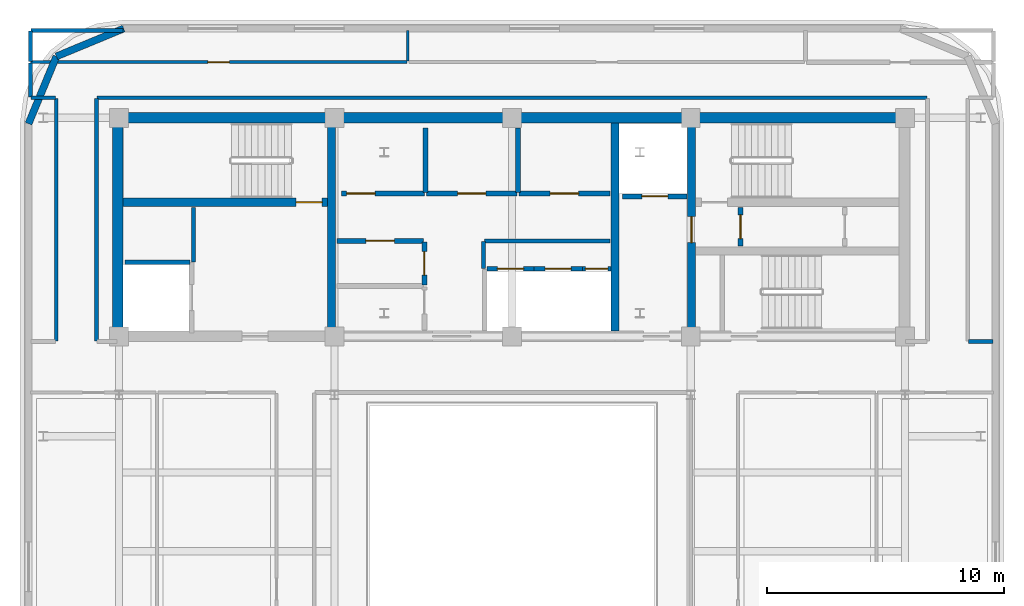
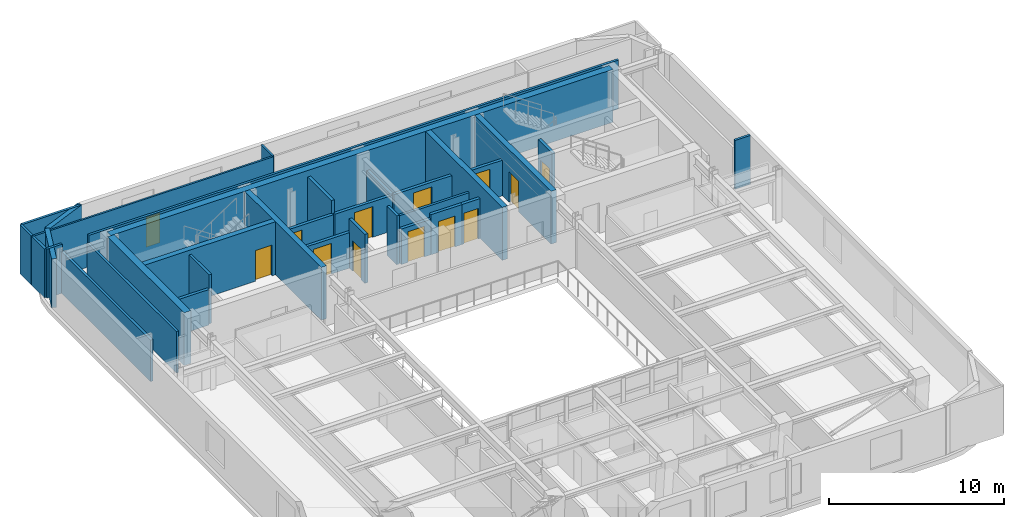
# One storey, part 8 of 12: 34 walls, 13 doors, 13 openings.
"""IFC4 building model written with IfcOpenShell, lengths in metres."""

from ifc_helpers import new_model, si_unit, direction, frame, frame_2d, origin, place, context, subcontext, project, spatial, rectangle, extrude, material, layer, layer_set, type_object, element, fill, save


model = new_model("IFC4")

# Units and contexts
model_context = context("Model", 3, precision=1e-05, world=origin(), true_north=direction((0.0, 1.0)))
body_context = subcontext(model_context, "Body", "Model", "MODEL_VIEW")
ifc_project = project(units=[si_unit("LENGTHUNIT", "METRE"), si_unit("AREAUNIT", "SQUARE_METRE"), si_unit("VOLUMEUNIT", "CUBIC_METRE"), si_unit("PLANEANGLEUNIT", "RADIAN"), si_unit("MASSUNIT", "GRAM", prefix="KILO")], contexts=[model_context])

# Site, building, storey
site_placement = place(None, origin())
site = spatial("IfcSite", under=ifc_project, at=site_placement, CompositionType="ELEMENT")
building_placement = place(site_placement, origin())
building = spatial("IfcBuilding", under=site, at=building_placement, Name="Zarnavel Station Tower", CompositionType="ELEMENT")
storey_placement = place(building_placement, frame((0.0, 0.0, 265.800048828125)))
storey = spatial("IfcBuildingStorey", under=building, at=storey_placement, Name="L72", CompositionType="ELEMENT", Elevation=265.800048828125)

# Walls
ifc_material_1 = material(Name="Concrete C50/60", Category="concrete")
ifc_layer_1 = layer(ifc_material_1, 0.35009765625)
ifc_layer_set_1 = layer_set([ifc_layer_1], Name="CW_350")
wall_type_1 = type_object("IfcWallType", Name="CW_350", PredefinedType="SHEAR", material=ifc_layer_set_1)
for number, where, z_axis, x_axis, name in (
    (1, (21.179931640625, 28.044921875, 0.0), (0.0, 0.0, 1.0), (0.0, 1.0, 0.0), "L72 Rear Core Shear Wall DIV-W"),
    (2, (33.14990234375, 28.044921875, 0.0), (0.0, 0.0, 1.0), (0.0, 1.0, 0.0), "L72 Rear Core Shear Wall DIV-E"),
):
    element("IfcWall", number, at=place(storey_placement, frame(where, z_axis=z_axis, x_axis=x_axis)), inside=storey, type_object=wall_type_1, Name=name, PredefinedType="SHEAR", context=body_context, shape_type="SweptSolid", body=[
        extrude(rectangle(XDim=8.780029296875, YDim=0.35009765625, at=frame_2d((4.39013671875, 0.0))), origin(), (0.0, 0.0, 1.0), 3.699951171875),
    ])

# Wall, opening, door
wall_1_placement = place(storey_placement, frame((36.3798828125, 28.044921875, 0.0), z_axis=(0.0, 0.0, 1.0), x_axis=(0.0, 1.0, 0.0)))
wall_1 = element("IfcWall", 3, at=wall_1_placement, inside=storey, type_object=wall_type_1, Name="L72 Rear Core Shear Wall DIV-S2", PredefinedType="SHEAR", context=body_context, shape_type="SweptSolid", body=[
    extrude(rectangle(XDim=8.780029296875, YDim=0.35009765625, at=frame_2d((4.39013671875, 0.0))), origin(), (0.0, 0.0, 1.0), 3.699951171875),
])
opening_1_placement = place(wall_1_placement, frame((3.735107421875, 0.0, 0.0)))
opening_1 = element("IfcOpeningElement", 4, at=opening_1_placement, cuts=wall_1, Name="Opening FD01", PredefinedType="OPENING", context=body_context, shape_type="SweptSolid", body=[
    extrude(rectangle(XDim=1.10009765625, YDim=2.14990234375, at=frame_2d((0.550048828125, 1.074951171875))), frame((0.0, 0.18505859375, 0.0), z_axis=(0.0, -1.0, 0.0), x_axis=(1.0, 0.0, 0.0)), (0.0, 0.0, 1.0), 0.3701171875),
])
ifc_material_2 = material(Name="Painted Galvanised Steel and Hardwood Leaf", Category="steel")
door_type_1 = type_object("IfcDoorType", Name="ID_STAIR_1100", OperationType="NOTDEFINED", PredefinedType="DOOR", material=ifc_material_2)
door_1_placement = place(opening_1_placement, origin())
door_1 = element("IfcDoor", 5, at=door_1_placement, inside=storey, type_object=door_type_1, Name="L72 East Stair Vestibule Fire Door", OperationType="SINGLE_SWING_LEFT", OverallHeight=2.14990234375, OverallWidth=1.10009765625, PredefinedType="DOOR", context=body_context, shape_type="SweptSolid", body=[
    extrude(rectangle(XDim=1.10009765625, YDim=2.14990234375, at=frame_2d((0.550048828125, 1.074951171875))), frame((0.0, 0.02490234375, 0.0), z_axis=(0.0, -1.0, 0.0), x_axis=(1.0, 0.0, 0.0)), (0.0, 0.0, 1.0), 0.050048828125),
])
fill(opening_1, door_1)

wall_2_placement = place(storey_placement, frame((21.0048828125, 33.47998046875, 0.0), z_axis=(0.0, 0.0, 1.0), x_axis=(-1.0, 0.0, 0.0)))
wall_2 = element("IfcWall", 6, at=wall_2_placement, inside=storey, type_object=wall_type_1, Name="L72 Rear Core Shear Wall DIV-H1", PredefinedType="SHEAR", context=body_context, shape_type="SweptSolid", body=[
    extrude(rectangle(XDim=8.6298828125, YDim=0.35009765625, at=frame_2d((4.31494140625, 0.0))), origin(), (0.0, 0.0, 1.0), 3.699951171875),
])
opening_2_placement = place(wall_2_placement, frame((0.219970703125, 0.0, 0.0)))
opening_2 = element("IfcOpeningElement", 7, at=opening_2_placement, cuts=wall_2, Name="Opening FD01", PredefinedType="OPENING", context=body_context, shape_type="SweptSolid", body=[
    extrude(rectangle(XDim=1.10009765625, YDim=2.14990234375, at=frame_2d((0.550048828125, 1.074951171875))), frame((0.0, 0.18505859375, 0.0), z_axis=(0.0, -1.0, 0.0), x_axis=(1.0, 0.0, 0.0)), (0.0, 0.0, 1.0), 0.3701171875),
])
door_2_placement = place(opening_2_placement, origin())
door_2 = element("IfcDoor", 8, at=door_2_placement, inside=storey, type_object=door_type_1, Name="L72 Stair ST1 Lobby Fire Door", OperationType="SINGLE_SWING_LEFT", OverallHeight=2.14990234375, OverallWidth=1.10009765625, PredefinedType="DOOR", context=body_context, shape_type="SweptSolid", body=[
    extrude(rectangle(XDim=1.10009765625, YDim=2.14990234375, at=frame_2d((0.550048828125, 1.074951171875))), frame((0.0, 0.02490234375, 0.0), z_axis=(0.0, -1.0, 0.0), x_axis=(1.0, 0.0, 0.0)), (0.0, 0.0, 1.0), 0.050048828125),
])
fill(opening_2, door_2)

# Walls
ifc_material_3 = material(Name="Concrete C50/60", Category="concrete")
ifc_layer_2 = layer(ifc_material_3, 0.449951171875)
ifc_layer_set_2 = layer_set([ifc_layer_2], Name="CW_450")
wall_type_2 = type_object("IfcWallType", Name="CW_450", PredefinedType="SHEAR", material=ifc_layer_set_2)
wall_3_placement = place(storey_placement, frame((12.14990234375, 37.050048828125, 0.0), z_axis=(0.0, 0.0, 1.0), x_axis=(1.0, 0.0, 0.0)))
element("IfcWall", 9, at=wall_3_placement, inside=storey, type_object=wall_type_2, Name="L72 Rear Core Shear Wall N", PredefinedType="SHEAR", context=body_context, shape_type="SweptSolid", body=[
    extrude(rectangle(XDim=33.22998046875, YDim=0.449951171875, at=frame_2d((16.614990234375, 0.0))), origin(), (0.0, 0.0, 1.0), 3.699951171875),
])
wall_4_placement = place(storey_placement, frame((12.14990234375, 28.044921875, 0.0), z_axis=(0.0, 0.0, 1.0), x_axis=(0.0, 1.0, 0.0)))
element("IfcWall", 10, at=wall_4_placement, inside=storey, type_object=wall_type_2, Name="L72 Rear Core Shear Wall W", PredefinedType="SHEAR", context=body_context, shape_type="SweptSolid", body=[
    extrude(rectangle(XDim=8.780029296875, YDim=0.449951171875, at=frame_2d((4.39013671875, 0.0))), origin(), (0.0, 0.0, 1.0), 3.699951171875),
])
ifc_material_4 = material(Name="Precast concrete C45/55 (Dark Basalt Finish)", Category="masonry")
ifc_layer_3 = layer(ifc_material_4, 0.300048828125)
ifc_layer_set_3 = layer_set([ifc_layer_3], Name="EW_BASALT_300")
wall_type_3 = type_object("IfcWallType", Name="EW_BASALT_300", PredefinedType="SOLIDWALL", material=ifc_layer_set_3)
for number, where, z_axis, x_axis, name in (
    (11, (9.557373046875, 39.642578125, 0.0), (0.0, 0.0, 1.0), (0.923870793506, 0.382704529509, 0.0), "L72 Exterior Basalt Masonry Frame Wall 07"),
    (12, (8.3798828125, 36.800048828125, 0.0), (0.0, 0.0, 1.0), (0.382704529509, 0.923870793506, 0.0), "L72 Exterior Basalt Masonry Frame Wall 08"),
):
    element("IfcWall", number, at=place(storey_placement, frame(where, z_axis=z_axis, x_axis=x_axis)), inside=storey, type_object=wall_type_3, Name=name, PredefinedType="SOLIDWALL", context=body_context, shape_type="SweptSolid", body=[
        extrude(rectangle(XDim=3.07666015625, YDim=0.300048828125, at=frame_2d((1.538330078125, 0.0))), origin(), (0.0, 0.0, 1.0), 3.419921875),
    ])
ifc_material_5 = material(Name="Gypsum Twin-Stud Acoustic Fire Partition", Category="concrete")
ifc_layer_4 = layer(ifc_material_5, 0.159912109375)
ifc_layer_set_4 = layer_set([ifc_layer_4], Name="PT_DEMISE_160")
wall_type_4 = type_object("IfcWallType", Name="PT_DEMISE_160", PredefinedType="PARTITIONING", material=ifc_layer_set_4)
wall_5_placement = place(storey_placement, frame((15.35009765625, 30.9599609375, 0.0), z_axis=(0.0, 0.0, 1.0), x_axis=(0.0, 1.0, 0.0)))
element("IfcWall", 13, at=wall_5_placement, inside=storey, type_object=wall_type_4, Name="L72 Enclosure Wall FFL1", PredefinedType="PARTITIONING", context=body_context, shape_type="SweptSolid", body=[
    extrude(rectangle(XDim=2.31005859375, YDim=0.159912109375, at=frame_2d((1.155029296875, 0.0))), origin(), (0.0, 0.0, 1.0), 3.419921875),
])
wall_6_placement = place(storey_placement, frame((27.6298828125, 31.85009765625, 0.0), z_axis=(0.0, 0.0, 1.0), x_axis=(1.0, 0.0, 0.0)))
element("IfcWall", 14, at=wall_6_placement, inside=storey, type_object=wall_type_4, Name="L72 Enclosure Wall LLOB", PredefinedType="PARTITIONING", context=body_context, shape_type="SweptSolid", body=[
    extrude(rectangle(XDim=5.31005859375, YDim=0.159912109375, at=frame_2d((2.655029296875, 0.0))), origin(), (0.0, 0.0, 1.0), 2.489990234375),
])
wall_7_placement = place(storey_placement, frame((27.60009765625, 30.679931640625, 0.0), z_axis=(0.0, 0.0, 1.0), x_axis=(0.0, 1.0, 0.0)))
element("IfcWall", 15, at=wall_7_placement, inside=storey, type_object=wall_type_4, Name="L72 Enclosure Wall LLOBS", PredefinedType="PARTITIONING", context=body_context, shape_type="SweptSolid", body=[
    extrude(rectangle(XDim=1.14013671875, YDim=0.159912109375, at=frame_2d((0.570068359375, 0.0))), origin(), (0.0, 0.0, 1.0), 3.419921875),
])
wall_8_placement = place(storey_placement, frame((48.080078125, 27.60009765625, 0.0), z_axis=(0.0, 0.0, 1.0), x_axis=(1.0, 0.0, 0.0)))
element("IfcWall", 16, at=wall_8_placement, inside=storey, type_object=wall_type_4, Name="L72 Enclosure Wall COR-S", PredefinedType="PARTITIONING", context=body_context, shape_type="SweptSolid", body=[
    extrude(rectangle(XDim=1.030029296875, YDim=0.159912109375, at=frame_2d((0.51513671875, 0.0))), origin(), (0.0, 0.0, 1.0), 3.419921875),
])
for number, where, z_axis, x_axis, name in (
    (17, (9.550048828125, 27.6298828125, 0.0), (0.0, 0.0, 1.0), (0.0, 1.0, 0.0), "L72 Enclosure Wall COR-W"),
    (18, (11.25, 27.6298828125, 0.0), (0.0, 0.0, 1.0), (0.0, 1.0, 0.0), "L72 Enclosure Wall COR-W"),
):
    element("IfcWall", number, at=place(storey_placement, frame(where, z_axis=z_axis, x_axis=x_axis)), inside=storey, type_object=wall_type_4, Name=name, PredefinedType="PARTITIONING", context=body_context, shape_type="SweptSolid", body=[
        extrude(rectangle(XDim=10.240234375, YDim=0.159912109375, at=frame_2d((5.1201171875, 0.0))), origin(), (0.0, 0.0, 1.0), 2.89990234375),
    ])
wall_9_placement = place(storey_placement, frame((8.489990234375, 37.89990234375, 0.0), z_axis=(0.0, 0.0, 1.0), x_axis=(1.0, 0.0, 0.0)))
element("IfcWall", 19, at=wall_9_placement, inside=storey, type_object=wall_type_4, Name="L72 Enclosure Wall COR-N", PredefinedType="PARTITIONING", context=body_context, shape_type="SweptSolid", body=[
    extrude(rectangle(XDim=1.030029296875, YDim=0.159912109375, at=frame_2d((0.51513671875, 0.0))), origin(), (0.0, 0.0, 1.0), 3.419921875),
])
wall_10_placement = place(storey_placement, frame((11.280029296875, 37.89990234375, 0.0), z_axis=(0.0, 0.0, 1.0), x_axis=(1.0, 0.0, 0.0)))
element("IfcWall", 20, at=wall_10_placement, inside=storey, type_object=wall_type_4, Name="L72 Enclosure Wall COR-N", PredefinedType="PARTITIONING", context=body_context, shape_type="SweptSolid", body=[
    extrude(rectangle(XDim=35.0400390625, YDim=0.159912109375, at=frame_2d((17.52001953125, 0.0))), origin(), (0.0, 0.0, 1.0), 3.419921875),
])
wall_11_placement = place(storey_placement, frame((8.4599609375, 37.929931640625, 0.0), z_axis=(0.0, 0.0, 1.0), x_axis=(0.0, 1.0, 0.0)))
element("IfcWall", 21, at=wall_11_placement, inside=storey, type_object=wall_type_4, Name="L72 Enclosure Wall COR-N", PredefinedType="PARTITIONING", context=body_context, shape_type="SweptSolid", body=[
    extrude(rectangle(XDim=1.440185546875, YDim=0.159912109375, at=frame_2d((0.72021484375, 0.0))), origin(), (0.0, 0.0, 1.0), 3.419921875),
])
wall_12_placement = place(storey_placement, frame((8.489990234375, 40.739990234375, 0.0), z_axis=(0.0, 0.0, 1.0), x_axis=(1.0, 0.0, 0.0)))
element("IfcWall", 22, at=wall_12_placement, inside=storey, type_object=wall_type_4, Name="L72 Enclosure Wall NLIB", PredefinedType="PARTITIONING", context=body_context, shape_type="SweptSolid", body=[
    extrude(rectangle(XDim=3.880126953125, YDim=0.159912109375, at=frame_2d((1.93994140625, 0.0))), origin(), (0.0, 0.0, 1.0), 3.419921875),
])
wall_13_placement = place(storey_placement, frame((8.4599609375, 39.429931640625, 0.0), z_axis=(0.0, 0.0, 1.0), x_axis=(0.0, 1.0, 0.0)))
element("IfcWall", 23, at=wall_13_placement, inside=storey, type_object=wall_type_4, Name="L72 Enclosure Wall NLIB", PredefinedType="PARTITIONING", context=body_context, shape_type="SweptSolid", body=[
    extrude(rectangle(XDim=1.280029296875, YDim=0.159912109375, at=frame_2d((0.64013671875, 0.0))), origin(), (0.0, 0.0, 1.0), 3.419921875),
])

# Wall, opening, door
ifc_material_6 = material(Name="Gypsum Metal-Stud Interior Partition", Category="concrete")
ifc_layer_5 = layer(ifc_material_6, 0.1201171875)
ifc_layer_set_5 = layer_set([ifc_layer_5], Name="PT_ROOM_120")
wall_type_5 = type_object("IfcWallType", Name="PT_ROOM_120", PredefinedType="PARTITIONING", material=ifc_layer_set_5)
wall_14_placement = place(storey_placement, frame((8.4599609375, 39.39990234375, 0.0), z_axis=(0.0, 0.0, 1.0), x_axis=(1.0, 0.0, 0.0)))
wall_14 = element("IfcWall", 24, at=wall_14_placement, inside=storey, type_object=wall_type_5, Name="L72 Partition COR-N-NLIB", PredefinedType="PARTITIONING", context=body_context, shape_type="SweptSolid", body=[
    extrude(rectangle(XDim=15.900146484375, YDim=0.1201171875, at=frame_2d((7.9501953125, 0.0))), origin(), (0.0, 0.0, 1.0), 3.419921875),
])
opening_3_placement = place(wall_14_placement, frame((7.5, 0.0, 0.0)))
opening_3 = element("IfcOpeningElement", 25, at=opening_3_placement, cuts=wall_14, Name="Opening ID01", PredefinedType="OPENING", context=body_context, shape_type="SweptSolid", body=[
    extrude(rectangle(XDim=0.89990234375, YDim=2.10009765625, at=frame_2d((0.449951171875, 1.050048828125))), frame((0.0, 0.070068359375, 0.0), z_axis=(0.0, -1.0, 0.0), x_axis=(1.0, 0.0, 0.0)), (0.0, 0.0, 1.0), 0.14013671875),
])
ifc_material_7 = material(Name="Painted Galvanised Steel and Hardwood Leaf", Category="steel")
door_type_2 = type_object("IfcDoorType", Name="ID_ROOM_900", OperationType="NOTDEFINED", PredefinedType="DOOR", material=ifc_material_7)
door_3_placement = place(opening_3_placement, origin())
door_3 = element("IfcDoor", 26, at=door_3_placement, inside=storey, type_object=door_type_2, Name="L72 Door COR-N-NLIB", OperationType="SINGLE_SWING_LEFT", OverallHeight=2.10009765625, OverallWidth=0.89990234375, PredefinedType="DOOR", context=body_context, shape_type="SweptSolid", body=[
    extrude(rectangle(XDim=0.89990234375, YDim=2.10009765625, at=frame_2d((0.449951171875, 1.050048828125))), frame((0.0, 0.02490234375, 0.0), z_axis=(0.0, -1.0, 0.0), x_axis=(1.0, 0.0, 0.0)), (0.0, 0.0, 1.0), 0.050048828125),
])
fill(opening_3, door_3)

# Walls
wall_15_placement = place(storey_placement, frame((24.39990234375, 39.43994140625, 0.0), z_axis=(0.0, 0.0, 1.0), x_axis=(0.0, 1.0, 0.0)))
element("IfcWall", 27, at=wall_15_placement, inside=storey, type_object=wall_type_5, Name="L72 Partition NLIB-NSPA", PredefinedType="PARTITIONING", context=body_context, shape_type="SweptSolid", body=[
    extrude(rectangle(XDim=1.300048828125, YDim=0.1201171875, at=frame_2d((0.64990234375, 0.0))), origin(), (0.0, 0.0, 1.0), 3.419921875),
])
ifc_material_8 = material(Name="Precast concrete C45/55 (Fire Shaft Blockwork)", Category="masonry")
ifc_layer_6 = layer(ifc_material_8, 0.199951171875)
ifc_layer_set_6 = layer_set([ifc_layer_6], Name="PT_SHAFT_200")
wall_type_6 = type_object("IfcWallType", Name="PT_SHAFT_200", PredefinedType="PARTITIONING", material=ifc_layer_set_6)
wall_16_placement = place(storey_placement, frame((12.449951171875, 30.949951171875, 0.0), z_axis=(0.0, 0.0, 1.0), x_axis=(1.0, 0.0, 0.0)))
element("IfcWall", 28, at=wall_16_placement, inside=storey, type_object=wall_type_6, Name="L72 Lift FFL-01 North Shaft Wall", PredefinedType="PARTITIONING", context=body_context, shape_type="SweptSolid", body=[
    extrude(rectangle(XDim=2.75, YDim=0.199951171875, at=frame_2d((1.375, 0.0))), origin(), (0.0, 0.0, 1.0), 2.489990234375),
])

# Wall, opening, door
wall_17_placement = place(storey_placement, frame((33.47509765625, 33.72998046875, 0.0), z_axis=(0.0, 0.0, 1.0), x_axis=(1.0, 0.0, 0.0)))
wall_17 = element("IfcWall", 29, at=wall_17_placement, inside=storey, type_object=wall_type_6, Name="L72 Lift FFL-02 Shaft Front Wall", PredefinedType="PARTITIONING", context=body_context, shape_type="SweptSolid", body=[
    extrude(rectangle(XDim=2.724853515625, YDim=0.199951171875, at=frame_2d((1.3623046875, 0.0))), origin(), (0.0, 0.0, 1.0), 2.489990234375),
])
opening_4_placement = place(wall_17_placement, frame((0.8125, 0.0, 0.0)))
opening_4 = element("IfcOpeningElement", 30, at=opening_4_placement, cuts=wall_17, Name="Opening LD01", PredefinedType="OPENING", context=body_context, shape_type="SweptSolid", body=[
    extrude(rectangle(XDim=1.10009765625, YDim=2.14990234375, at=frame_2d((0.550048828125, 1.074951171875))), frame((0.0, 0.10986328125, 0.0), z_axis=(0.0, -1.0, 0.0), x_axis=(1.0, 0.0, 0.0)), (0.0, 0.0, 1.0), 0.219970703125),
])
ifc_material_9 = material(Name="Painted Galvanised Steel and Hardwood Leaf", Category="steel")
door_type_3 = type_object("IfcDoorType", Name="LD_FF_1100", OperationType="DOUBLE_DOOR_SLIDING", PredefinedType="DOOR", material=ifc_material_9)
door_4_placement = place(opening_4_placement, origin())
door_4 = element("IfcDoor", 31, at=door_4_placement, inside=storey, type_object=door_type_3, Name="L72 Lift FFL-02 Sliding Landing Door", OperationType="DOUBLE_DOOR_SLIDING", OverallHeight=2.14990234375, OverallWidth=1.10009765625, PredefinedType="DOOR", context=body_context, shape_type="SweptSolid", body=[
    extrude(rectangle(XDim=1.10009765625, YDim=2.14990234375, at=frame_2d((0.550048828125, 1.074951171875))), frame((0.0, 0.02490234375, 0.0), z_axis=(0.0, -1.0, 0.0), x_axis=(1.0, 0.0, 0.0)), (0.0, 0.0, 1.0), 0.050048828125),
])
fill(opening_4, door_4)

wall_18_placement = place(storey_placement, frame((27.75, 30.669921875, 0.0), z_axis=(0.0, 0.0, 1.0), x_axis=(1.0, 0.0, 0.0)))
wall_18 = element("IfcWall", 32, at=wall_18_placement, inside=storey, type_object=wall_type_6, Name="L72 Lift PL-H1 Shaft Front Wall", PredefinedType="PARTITIONING", context=body_context, shape_type="SweptSolid", body=[
    extrude(rectangle(XDim=1.97509765625, YDim=0.199951171875, at=frame_2d((0.987548828125, 0.0))), origin(), (0.0, 0.0, 1.0), 2.489990234375),
])
opening_5_placement = place(wall_18_placement, frame((0.4375, 0.0, 0.0)))
opening_5 = element("IfcOpeningElement", 33, at=opening_5_placement, cuts=wall_18, Name="Opening LD02", PredefinedType="OPENING", context=body_context, shape_type="SweptSolid", body=[
    extrude(rectangle(XDim=1.10009765625, YDim=2.14990234375, at=frame_2d((0.550048828125, 1.074951171875))), frame((0.0, 0.10986328125, 0.0), z_axis=(0.0, -1.0, 0.0), x_axis=(1.0, 0.0, 0.0)), (0.0, 0.0, 1.0), 0.219970703125),
])
ifc_material_10 = material(Name="Painted Galvanised Steel and Hardwood Leaf", Category="steel")
door_type_4 = type_object("IfcDoorType", Name="LD_PAX_1100", OperationType="DOUBLE_DOOR_SLIDING", PredefinedType="DOOR", material=ifc_material_10)
door_5_placement = place(opening_5_placement, origin())
door_5 = element("IfcDoor", 34, at=door_5_placement, inside=storey, type_object=door_type_4, Name="L72 Lift PL-H1 Sliding Landing Door", OperationType="DOUBLE_DOOR_SLIDING", OverallHeight=2.14990234375, OverallWidth=1.10009765625, PredefinedType="DOOR", context=body_context, shape_type="SweptSolid", body=[
    extrude(rectangle(XDim=1.10009765625, YDim=2.14990234375, at=frame_2d((0.550048828125, 1.074951171875))), frame((0.0, 0.02490234375, 0.0), z_axis=(0.0, -1.0, 0.0), x_axis=(1.0, 0.0, 0.0)), (0.0, 0.0, 1.0), 0.050048828125),
])
fill(opening_5, door_5)

wall_19_placement = place(storey_placement, frame((29.72509765625, 30.669921875, 0.0), z_axis=(0.0, 0.0, 1.0), x_axis=(1.0, 0.0, 0.0)))
wall_19 = element("IfcWall", 35, at=wall_19_placement, inside=storey, type_object=wall_type_6, Name="L72 Lift PL-H2 Shaft Front Wall", PredefinedType="PARTITIONING", context=body_context, shape_type="SweptSolid", body=[
    extrude(rectangle(XDim=2.0498046875, YDim=0.199951171875, at=frame_2d((1.02490234375, 0.0))), origin(), (0.0, 0.0, 1.0), 2.800048828125),
])
opening_6_placement = place(wall_19_placement, frame((0.47509765625, 0.0, 0.0)))
opening_6 = element("IfcOpeningElement", 36, at=opening_6_placement, cuts=wall_19, Name="Opening LD02", PredefinedType="OPENING", context=body_context, shape_type="SweptSolid", body=[
    extrude(rectangle(XDim=1.10009765625, YDim=2.14990234375, at=frame_2d((0.550048828125, 1.074951171875))), frame((0.0, 0.10986328125, 0.0), z_axis=(0.0, -1.0, 0.0), x_axis=(1.0, 0.0, 0.0)), (0.0, 0.0, 1.0), 0.219970703125),
])
door_6_placement = place(opening_6_placement, origin())
door_6 = element("IfcDoor", 37, at=door_6_placement, inside=storey, type_object=door_type_4, Name="L72 Lift PL-H2 Sliding Landing Door", OperationType="DOUBLE_DOOR_SLIDING", OverallHeight=2.14990234375, OverallWidth=1.10009765625, PredefinedType="DOOR", context=body_context, shape_type="SweptSolid", body=[
    extrude(rectangle(XDim=1.10009765625, YDim=2.14990234375, at=frame_2d((0.550048828125, 1.074951171875))), frame((0.0, 0.02490234375, 0.0), z_axis=(0.0, -1.0, 0.0), x_axis=(1.0, 0.0, 0.0)), (0.0, 0.0, 1.0), 0.050048828125),
])
fill(opening_6, door_6)

wall_20_placement = place(storey_placement, frame((31.77490234375, 30.669921875, 0.0), z_axis=(0.0, 0.0, 1.0), x_axis=(1.0, 0.0, 0.0)))
wall_20 = element("IfcWall", 38, at=wall_20_placement, inside=storey, type_object=wall_type_6, Name="L72 Lift PL-H3 Shaft Front Wall", PredefinedType="PARTITIONING", context=body_context, shape_type="SweptSolid", body=[
    extrude(rectangle(XDim=1.2001953125, YDim=0.199951171875, at=frame_2d((0.60009765625, 0.0))), origin(), (0.0, 0.0, 1.0), 2.800048828125),
])
opening_7_placement = place(wall_20_placement, frame((0.125, 0.0, 0.0)))
opening_7 = element("IfcOpeningElement", 39, at=opening_7_placement, cuts=wall_20, Name="Opening LD03", PredefinedType="OPENING", context=body_context, shape_type="SweptSolid", body=[
    extrude(rectangle(XDim=0.949951171875, YDim=2.14990234375, at=frame_2d((0.47509765625, 1.074951171875))), frame((0.0, 0.10986328125, 0.0), z_axis=(0.0, -1.0, 0.0), x_axis=(1.0, 0.0, 0.0)), (0.0, 0.0, 1.0), 0.219970703125),
])
ifc_material_11 = material(Name="Painted Galvanised Steel and Hardwood Leaf", Category="steel")
door_type_5 = type_object("IfcDoorType", Name="LD_PAX_0950", OperationType="DOUBLE_DOOR_SLIDING", PredefinedType="DOOR", material=ifc_material_11)
door_7_placement = place(opening_7_placement, origin())
door_7 = element("IfcDoor", 40, at=door_7_placement, inside=storey, type_object=door_type_5, Name="L72 Lift PL-H3 Sliding Landing Door", OperationType="DOUBLE_DOOR_SLIDING", OverallHeight=2.14990234375, OverallWidth=0.949951171875, PredefinedType="DOOR", context=body_context, shape_type="SweptSolid", body=[
    extrude(rectangle(XDim=0.949951171875, YDim=2.14990234375, at=frame_2d((0.47509765625, 1.074951171875))), frame((0.0, 0.02490234375, 0.0), z_axis=(0.0, -1.0, 0.0), x_axis=(1.0, 0.0, 0.0)), (0.0, 0.0, 1.0), 0.050048828125),
])
fill(opening_7, door_7)

wall_21_placement = place(storey_placement, frame((38.449951171875, 31.639892578125, 0.0), z_axis=(0.0, 0.0, 1.0), x_axis=(0.0, 1.0, 0.0)))
wall_21 = element("IfcWall", 41, at=wall_21_placement, inside=storey, type_object=wall_type_6, Name="L72 Partition ESTV-CEA", PredefinedType="PARTITIONING", context=body_context, shape_type="SweptSolid", body=[
    extrude(rectangle(XDim=1.6201171875, YDim=0.199951171875, at=frame_2d((0.81005859375, 0.0))), origin(), (0.0, 0.0, 1.0), 3.419921875),
])
opening_8_placement = place(wall_21_placement, frame((0.31005859375, 0.0, 0.0)))
opening_8 = element("IfcOpeningElement", 42, at=opening_8_placement, cuts=wall_21, Name="Opening FD02", PredefinedType="OPENING", context=body_context, shape_type="SweptSolid", body=[
    extrude(rectangle(XDim=1.0, YDim=2.14990234375, at=frame_2d((0.5, 1.074951171875))), frame((0.0, 0.10986328125, 0.0), z_axis=(0.0, -1.0, 0.0), x_axis=(1.0, 0.0, 0.0)), (0.0, 0.0, 1.0), 0.219970703125),
])
ifc_material_12 = material(Name="Painted Galvanised Steel and Hardwood Leaf", Category="steel")
door_type_6 = type_object("IfcDoorType", Name="ID_ENTRY_1000", OperationType="NOTDEFINED", PredefinedType="DOOR", material=ifc_material_12)
door_8_placement = place(opening_8_placement, origin())
door_8 = element("IfcDoor", 43, at=door_8_placement, inside=storey, type_object=door_type_6, Name="L72 Door ESTV-CEA", OperationType="SINGLE_SWING_LEFT", OverallHeight=2.14990234375, OverallWidth=1.0, PredefinedType="DOOR", context=body_context, shape_type="SweptSolid", body=[
    extrude(rectangle(XDim=1.0, YDim=2.14990234375, at=frame_2d((0.5, 1.074951171875))), frame((0.0, 0.02490234375, 0.0), z_axis=(0.0, -1.0, 0.0), x_axis=(1.0, 0.0, 0.0)), (0.0, 0.0, 1.0), 0.050048828125),
])
fill(opening_8, door_8)

wall_22_placement = place(storey_placement, frame((21.39990234375, 31.85009765625, 0.0), z_axis=(0.0, 0.0, 1.0), x_axis=(1.0, 0.0, 0.0)))
wall_22 = element("IfcWall", 44, at=wall_22_placement, inside=storey, type_object=wall_type_6, Name="L72 Partition LLOB-CS2", PredefinedType="PARTITIONING", context=body_context, shape_type="SweptSolid", body=[
    extrude(rectangle(XDim=3.66015625, YDim=0.199951171875, at=frame_2d((1.830078125, 0.0))), origin(), (0.0, 0.0, 1.0), 2.489990234375),
])
opening_9_placement = place(wall_22_placement, frame((1.22998046875, 0.0, 0.0)))
opening_9 = element("IfcOpeningElement", 45, at=opening_9_placement, cuts=wall_22, Name="Opening FD03", PredefinedType="OPENING", context=body_context, shape_type="SweptSolid", body=[
    extrude(rectangle(XDim=1.199951171875, YDim=2.14990234375, at=frame_2d((0.60009765625, 1.074951171875))), frame((0.0, 0.10986328125, 0.0), z_axis=(0.0, -1.0, 0.0), x_axis=(1.0, 0.0, 0.0)), (0.0, 0.0, 1.0), 0.219970703125),
])
ifc_material_13 = material(Name="Painted Galvanised Steel and Hardwood Leaf", Category="steel")
door_type_7 = type_object("IfcDoorType", Name="ID_PLANT_1200", OperationType="NOTDEFINED", PredefinedType="DOOR", material=ifc_material_13)
door_9_placement = place(opening_9_placement, origin())
door_9 = element("IfcDoor", 46, at=door_9_placement, inside=storey, type_object=door_type_7, Name="L72 Door LLOB-CS2", OperationType="SINGLE_SWING_LEFT", OverallHeight=2.14990234375, OverallWidth=1.199951171875, PredefinedType="DOOR", context=body_context, shape_type="SweptSolid", body=[
    extrude(rectangle(XDim=1.199951171875, YDim=2.14990234375, at=frame_2d((0.60009765625, 1.074951171875))), frame((0.0, 0.02490234375, 0.0), z_axis=(0.0, -1.0, 0.0), x_axis=(1.0, 0.0, 0.0)), (0.0, 0.0, 1.0), 0.050048828125),
])
fill(opening_9, door_9)

wall_23_placement = place(storey_placement, frame((21.590087890625, 33.85009765625, 0.0), z_axis=(0.0, 0.0, 1.0), x_axis=(1.0, 0.0, 0.0)))
wall_23 = element("IfcWall", 47, at=wall_23_placement, inside=storey, type_object=wall_type_6, Name="L72 Partition LLOB-FB2A", PredefinedType="PARTITIONING", context=body_context, shape_type="SweptSolid", body=[
    extrude(rectangle(XDim=3.52001953125, YDim=0.199951171875, at=frame_2d((1.760009765625, 0.0))), origin(), (0.0, 0.0, 1.0), 2.489990234375),
])
opening_10_placement = place(wall_23_placement, frame((0.22509765625, 0.0, 0.0)))
opening_10 = element("IfcOpeningElement", 48, at=opening_10_placement, cuts=wall_23, Name="Opening FD03", PredefinedType="OPENING", context=body_context, shape_type="SweptSolid", body=[
    extrude(rectangle(XDim=1.199951171875, YDim=2.14990234375, at=frame_2d((0.60009765625, 1.074951171875))), frame((0.0, 0.10986328125, 0.0), z_axis=(0.0, -1.0, 0.0), x_axis=(1.0, 0.0, 0.0)), (0.0, 0.0, 1.0), 0.219970703125),
])
door_10_placement = place(opening_10_placement, origin())
door_10 = element("IfcDoor", 49, at=door_10_placement, inside=storey, type_object=door_type_7, Name="L72 Door LLOB-FB2A", OperationType="SINGLE_SWING_RIGHT", OverallHeight=2.14990234375, OverallWidth=1.199951171875, PredefinedType="DOOR", context=body_context, shape_type="SweptSolid", body=[
    extrude(rectangle(XDim=1.199951171875, YDim=2.14990234375, at=frame_2d((0.60009765625, 1.074951171875))), frame((0.0, 0.02490234375, 0.0), z_axis=(0.0, -1.0, 0.0), x_axis=(1.0, 0.0, 0.0)), (0.0, 0.0, 1.0), 0.050048828125),
])
fill(opening_10, door_10)

wall_24_placement = place(storey_placement, frame((25.18994140625, 33.85009765625, 0.0), z_axis=(0.0, 0.0, 1.0), x_axis=(1.0, 0.0, 0.0)))
wall_24 = element("IfcWall", 50, at=wall_24_placement, inside=storey, type_object=wall_type_6, Name="L72 Partition LLOB-FB2B", PredefinedType="PARTITIONING", context=body_context, shape_type="SweptSolid", body=[
    extrude(rectangle(XDim=3.820068359375, YDim=0.199951171875, at=frame_2d((1.91015625, 0.0))), origin(), (0.0, 0.0, 1.0), 2.489990234375),
])
opening_11_placement = place(wall_24_placement, frame((1.31005859375, 0.0, 0.0)))
opening_11 = element("IfcOpeningElement", 51, at=opening_11_placement, cuts=wall_24, Name="Opening FD03", PredefinedType="OPENING", context=body_context, shape_type="SweptSolid", body=[
    extrude(rectangle(XDim=1.199951171875, YDim=2.14990234375, at=frame_2d((0.60009765625, 1.074951171875))), frame((0.0, 0.10986328125, 0.0), z_axis=(0.0, -1.0, 0.0), x_axis=(1.0, 0.0, 0.0)), (0.0, 0.0, 1.0), 0.219970703125),
])
door_11_placement = place(opening_11_placement, origin())
door_11 = element("IfcDoor", 52, at=door_11_placement, inside=storey, type_object=door_type_7, Name="L72 Door LLOB-FB2B", OperationType="SINGLE_SWING_LEFT", OverallHeight=2.14990234375, OverallWidth=1.199951171875, PredefinedType="DOOR", context=body_context, shape_type="SweptSolid", body=[
    extrude(rectangle(XDim=1.199951171875, YDim=2.14990234375, at=frame_2d((0.60009765625, 1.074951171875))), frame((0.0, 0.02490234375, 0.0), z_axis=(0.0, -1.0, 0.0), x_axis=(1.0, 0.0, 0.0)), (0.0, 0.0, 1.0), 0.050048828125),
])
fill(opening_11, door_11)

wall_25_placement = place(storey_placement, frame((29.090087890625, 33.85009765625, 0.0), z_axis=(0.0, 0.0, 1.0), x_axis=(1.0, 0.0, 0.0)))
wall_25 = element("IfcWall", 53, at=wall_25_placement, inside=storey, type_object=wall_type_6, Name="L72 Partition LLOB-FB2C", PredefinedType="PARTITIONING", context=body_context, shape_type="SweptSolid", body=[
    extrude(rectangle(XDim=3.83984375, YDim=0.199951171875, at=frame_2d((1.919921875, 0.0))), origin(), (0.0, 0.0, 1.0), 2.489990234375),
])
opening_12_placement = place(wall_25_placement, frame((1.320068359375, 0.0, 0.0)))
opening_12 = element("IfcOpeningElement", 54, at=opening_12_placement, cuts=wall_25, Name="Opening FD03", PredefinedType="OPENING", context=body_context, shape_type="SweptSolid", body=[
    extrude(rectangle(XDim=1.199951171875, YDim=2.14990234375, at=frame_2d((0.60009765625, 1.074951171875))), frame((0.0, 0.10986328125, 0.0), z_axis=(0.0, -1.0, 0.0), x_axis=(1.0, 0.0, 0.0)), (0.0, 0.0, 1.0), 0.219970703125),
])
door_12_placement = place(opening_12_placement, origin())
door_12 = element("IfcDoor", 55, at=door_12_placement, inside=storey, type_object=door_type_7, Name="L72 Door LLOB-FB2C", OperationType="SINGLE_SWING_RIGHT", OverallHeight=2.14990234375, OverallWidth=1.199951171875, PredefinedType="DOOR", context=body_context, shape_type="SweptSolid", body=[
    extrude(rectangle(XDim=1.199951171875, YDim=2.14990234375, at=frame_2d((0.60009765625, 1.074951171875))), frame((0.0, 0.02490234375, 0.0), z_axis=(0.0, -1.0, 0.0), x_axis=(1.0, 0.0, 0.0)), (0.0, 0.0, 1.0), 0.050048828125),
])
fill(opening_12, door_12)

wall_26_placement = place(storey_placement, frame((25.10009765625, 29.989990234375, 0.0), z_axis=(0.0, 0.0, 1.0), x_axis=(0.0, 1.0, 0.0)))
wall_26 = element("IfcWall", 56, at=wall_26_placement, inside=storey, type_object=wall_type_6, Name="L72 Partition LLOBS-CS2", PredefinedType="PARTITIONING", context=body_context, shape_type="SweptSolid", body=[
    extrude(rectangle(XDim=1.820068359375, YDim=0.199951171875, at=frame_2d((0.91015625, 0.0))), origin(), (0.0, 0.0, 1.0), 3.419921875),
])
opening_13_placement = place(wall_26_placement, frame((0.409912109375, 0.0, 0.0)))
opening_13 = element("IfcOpeningElement", 57, at=opening_13_placement, cuts=wall_26, Name="Opening FD02", PredefinedType="OPENING", context=body_context, shape_type="SweptSolid", body=[
    extrude(rectangle(XDim=1.0, YDim=2.14990234375, at=frame_2d((0.5, 1.074951171875))), frame((0.0, 0.10986328125, 0.0), z_axis=(0.0, -1.0, 0.0), x_axis=(1.0, 0.0, 0.0)), (0.0, 0.0, 1.0), 0.219970703125),
])
door_13_placement = place(opening_13_placement, origin())
door_13 = element("IfcDoor", 58, at=door_13_placement, inside=storey, type_object=door_type_6, Name="L72 Door LLOBS-CS2", OperationType="SINGLE_SWING_RIGHT", OverallHeight=2.14990234375, OverallWidth=1.0, PredefinedType="DOOR", context=body_context, shape_type="SweptSolid", body=[
    extrude(rectangle(XDim=1.0, YDim=2.14990234375, at=frame_2d((0.5, 1.074951171875))), frame((0.0, 0.02490234375, 0.0), z_axis=(0.0, -1.0, 0.0), x_axis=(1.0, 0.0, 0.0)), (0.0, 0.0, 1.0), 0.050048828125),
])
fill(opening_13, door_13)

# Walls
wall_27_placement = place(storey_placement, frame((25.14990234375, 33.889892578125, 0.0), z_axis=(0.0, 0.0, 1.0), x_axis=(0.0, 1.0, 0.0)))
element("IfcWall", 59, at=wall_27_placement, inside=storey, type_object=wall_type_6, Name="L72 Partition FB2A-FB2B", PredefinedType="PARTITIONING", context=body_context, shape_type="SweptSolid", body=[
    extrude(rectangle(XDim=2.72021484375, YDim=0.199951171875, at=frame_2d((1.360107421875, 0.0))), origin(), (0.0, 0.0, 1.0), 3.419921875),
])
wall_28_placement = place(storey_placement, frame((29.050048828125, 33.889892578125, 0.0), z_axis=(0.0, 0.0, 1.0), x_axis=(0.0, 1.0, 0.0)))
element("IfcWall", 60, at=wall_28_placement, inside=storey, type_object=wall_type_6, Name="L72 Partition FB2B-FB2C", PredefinedType="PARTITIONING", context=body_context, shape_type="SweptSolid", body=[
    extrude(rectangle(XDim=2.72021484375, YDim=0.199951171875, at=frame_2d((1.360107421875, 0.0))), origin(), (0.0, 0.0, 1.0), 2.489990234375),
])

save(model, "model.ifc")
